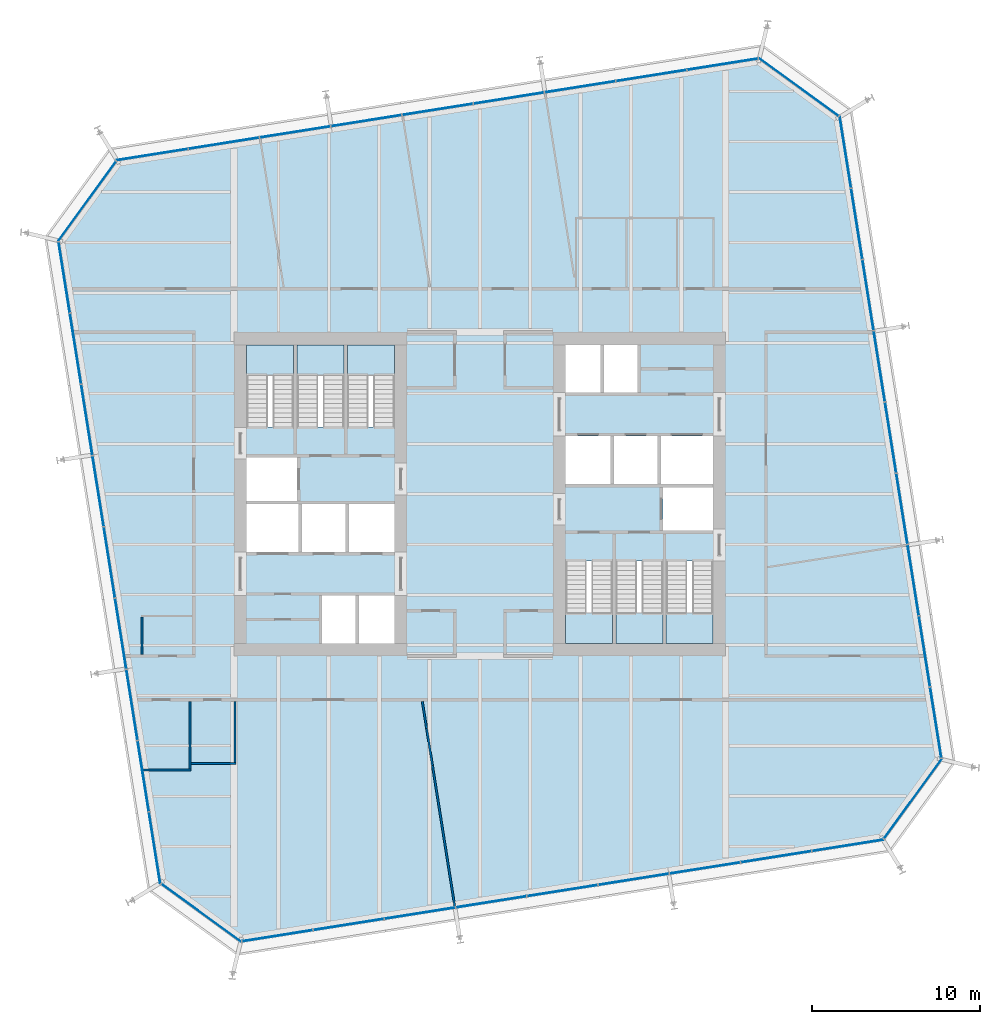
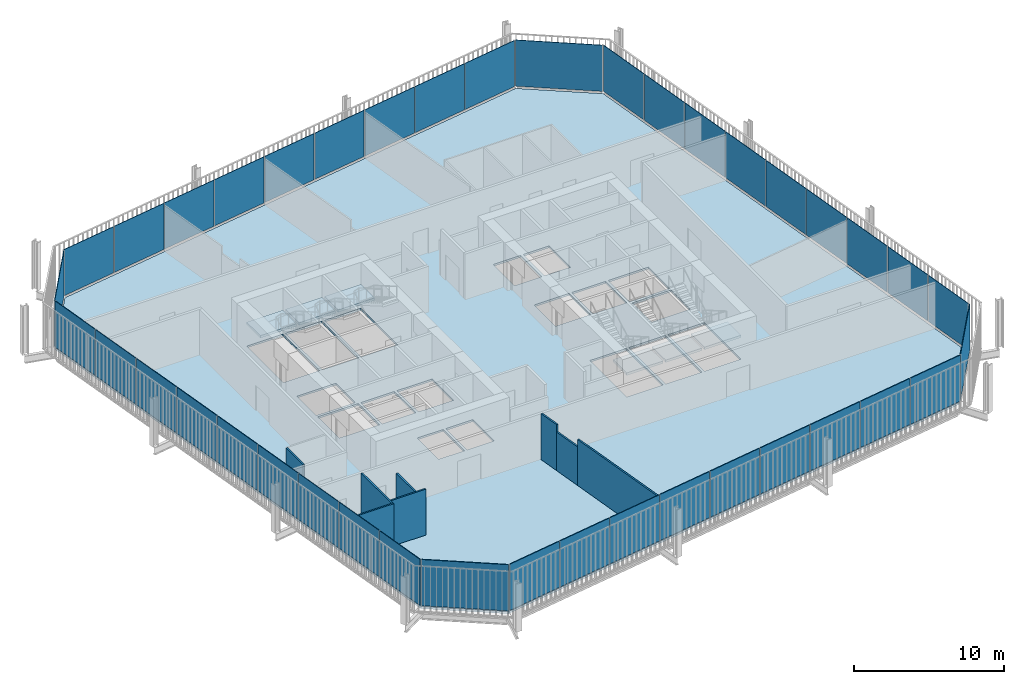
# One storey, part 16 of 21: 40 plates, 8 walls, 7 slabs, 14 elements without a shape of their own.
"""IFC4 building model written with IfcOpenShell, lengths in metres."""

import ifcopenshell
import ifcopenshell.guid

model = None  # the IFC model being written
_history = None  # IfcOwnerHistory: only IFC2X3 demands one
_inside = {}  # id of a spatial element -> (the spatial element, [elements in it])
_under = {}  # id of a project, library or spatial element -> (it, [spatial elements below it])
_declared = {}  # id of a project -> (the project, [libraries it declares])
_typed = {}  # id of a type object -> (the type object, [elements of that type])
_made_of = {}  # id of a material, layer set ... -> (it, [elements and type objects made of it])


def new_model(schema):
    """Start an empty IFC model of exactly this schema.

    Asked for "IFC4X3", IfcOpenShell would pick the latest addendum, in which some entities
    have other attributes; the version numbers below select the first issue.
    IFC2X3 requires an IfcOwnerHistory on every rooted entity: one is made here for all.
    """
    global model, _history
    if schema == "IFC4X3":
        model = ifcopenshell.file(schema_version=(4, 3, 0, 0))
    else:
        model = ifcopenshell.file(schema=schema)
    _inside.clear()
    _under.clear()
    _declared.clear()
    _typed.clear()
    _made_of.clear()
    _history = None
    if model.schema == "IFC2X3":
        org = make("IfcOrganization", Name="unknown")
        user = make(
            "IfcPersonAndOrganization",
            ThePerson=make("IfcPerson", FamilyName="unknown"),
            TheOrganization=org,
        )
        app = make(
            "IfcApplication",
            ApplicationDeveloper=org,
            Version="unknown",
            ApplicationFullName="unknown",
            ApplicationIdentifier="unknown",
        )
        _history = make(
            "IfcOwnerHistory",
            OwningUser=user,
            OwningApplication=app,
            ChangeAction="ADDED",
            CreationDate=0,
        )
    return model


def make(cls, **values):
    """One entity of the class cls with the attributes given. An attribute that is None is left unset."""
    return model.create_entity(
        cls, **{name: value for name, value in values.items() if value is not None}
    )


def rooted(cls, **values):
    """An entity with a GlobalId (a new one), such as an element, a storey or a relation."""
    return make(cls, GlobalId=ifcopenshell.guid.new(), OwnerHistory=_history, **values)


def si_unit(unit_type, name, prefix=None):
    """IfcSIUnit, for example si_unit("LENGTHUNIT", "METRE", prefix="MILLI")."""
    return make("IfcSIUnit", UnitType=unit_type, Prefix=prefix, Name=name)


def assignment(units):
    """IfcUnitAssignment: the units of a project."""
    return None if units is None else make("IfcUnitAssignment", Units=units)


def point(xyz):
    """IfcCartesianPoint."""
    return None if xyz is None else make("IfcCartesianPoint", Coordinates=xyz)


def direction(xyz):
    """IfcDirection."""
    return None if xyz is None else make("IfcDirection", DirectionRatios=xyz)


def frame(location, z_axis=None, x_axis=None):
    """IfcAxis2Placement3D, a coordinate frame: its origin and axes. An axis left out is left unset."""
    return make(
        "IfcAxis2Placement3D",
        Location=point(location),
        Axis=direction(z_axis),
        RefDirection=direction(x_axis),
    )


def frame_2d(location, x_axis=None):
    """IfcAxis2Placement2D, a coordinate frame in the plane: its origin and x axis."""
    return make(
        "IfcAxis2Placement2D", Location=point(location), RefDirection=direction(x_axis)
    )


def origin():
    """The frame at (0, 0, 0) with its axes left unset."""
    return frame((0.0, 0.0, 0.0))


def place(relative_to, where):
    """IfcLocalPlacement: puts the frame where relative to a parent placement (None: the world)."""
    return make(
        "IfcLocalPlacement", PlacementRelTo=relative_to, RelativePlacement=where
    )


def context(
    kind, dimensions, precision=None, world=None, true_north=None, identifier=None
):
    """IfcGeometricRepresentationContext, for example the 3D "Model" context."""
    return make(
        "IfcGeometricRepresentationContext",
        ContextIdentifier=identifier,
        ContextType=kind,
        CoordinateSpaceDimension=dimensions,
        Precision=precision,
        WorldCoordinateSystem=world,
        TrueNorth=true_north,
    )


def subcontext(parent, identifier, kind, view, scale=None):
    """IfcGeometricRepresentationSubContext, for example "Body" below "Model"."""
    return make(
        "IfcGeometricRepresentationSubContext",
        ContextIdentifier=identifier,
        ContextType=kind,
        ParentContext=parent,
        TargetScale=scale,
        TargetView=view,
    )


def project(units=None, contexts=None):
    """IfcProject with its units and contexts."""
    return rooted(
        "IfcProject",
        Name="project",
        RepresentationContexts=contexts,
        UnitsInContext=assignment(units),
    )


def spatial(cls, under=None, at=None, **own):
    """A site, building, storey or space (cls), placed at a placement, below another one or the project."""
    s = rooted(cls, ObjectPlacement=at, **own)
    if under is not None:
        _under.setdefault(under.id(), (under, []))[1].append(s)
    return s


def polyline(points):
    """IfcPolyline through the points."""
    return make("IfcPolyline", Points=[point(p) for p in points])


def profile(cls, at=None, kind="AREA", **sizes):
    """A parametric profile (cls). Its sizes go by their IFC names, for example OverallWidth=200.0."""
    return make(cls, ProfileType=kind, Position=at, **sizes)


def rectangle(**sizes):
    """IfcRectangleProfileDef."""
    return profile("IfcRectangleProfileDef", **sizes)


def outline(outer, holes=None, kind="AREA"):
    """IfcArbitraryClosedProfileDef: a profile drawn as a closed curve; with holes, ...WithVoids."""
    if holes is None:
        return make("IfcArbitraryClosedProfileDef", ProfileType=kind, OuterCurve=outer)
    return make(
        "IfcArbitraryProfileDefWithVoids",
        ProfileType=kind,
        OuterCurve=outer,
        InnerCurves=holes,
    )


def extrude(swept, where, along, depth):
    """IfcExtrudedAreaSolid: the profile swept, set in the frame where, extruded along a direction by depth."""
    return make(
        "IfcExtrudedAreaSolid",
        SweptArea=swept,
        Position=where,
        ExtrudedDirection=direction(along),
        Depth=depth,
    )


def shape(context_of_items, identifier, shape_type, items):
    """IfcShapeRepresentation: the items that make up one representation, for example the "Body"."""
    return make(
        "IfcShapeRepresentation",
        ContextOfItems=context_of_items,
        RepresentationIdentifier=identifier,
        RepresentationType=shape_type,
        Items=items,
    )


def material(Name=None, Category=None):
    """IfcMaterial."""
    return make("IfcMaterial", Name=Name, Category=Category)


def layer(
    of_material, thickness, ventilated=None, Name=None, Category=None, Priority=None
):
    """IfcMaterialLayer: one layer of a wall or slab, of a material (None: an air gap)."""
    return make(
        "IfcMaterialLayer",
        Material=of_material,
        LayerThickness=thickness,
        IsVentilated=ventilated,
        Name=Name,
        Category=Category,
        Priority=Priority,
    )


def layer_set(layers, Name=None):
    """IfcMaterialLayerSet."""
    return make("IfcMaterialLayerSet", MaterialLayers=layers, LayerSetName=Name)


def made_of(thing, what):
    """Note that an element or type object is made of a material, layer set ...; save() writes the relation."""
    if what is not None:
        _made_of.setdefault(what.id(), (what, []))[1].append(thing)
    return thing


def type_object(cls, material=None, **own):
    """A type object (cls), such as IfcWallType, which elements share."""
    return made_of(rooted(cls, **own), material)


def element(
    cls,
    number,
    at=None,
    inside=None,
    cuts=None,
    type_object=None,
    material=None,
    context=None,
    identifier="Body",
    shape_type=None,
    held_by="IfcProductDefinitionShape",
    body=None,
    shapes=None,
    **own,
):
    """One element of the class cls, such as IfcWall. Its Tag is "e" and its number.

    at: its placement. inside: the storey or other place that contains it. cuts: it is an
    opening in that element (IfcRelVoidsElement). A single representation is given by context,
    identifier, shape_type and body (its items); several are given by shapes. held_by: the class
    of the entity that holds the representations. save() writes the other relations.
    """
    e = rooted(cls, Tag="e%d" % number, ObjectPlacement=at, **own)
    if body is not None:
        shapes = [shape(context, identifier, shape_type, body)]
    if shapes is not None:
        e.Representation = make(held_by, Representations=shapes)
    if inside is not None:
        _inside.setdefault(inside.id(), (inside, []))[1].append(e)
    if cuts is not None:
        rooted(
            "IfcRelVoidsElement", RelatingBuildingElement=cuts, RelatedOpeningElement=e
        )
    if type_object is not None:
        _typed.setdefault(type_object.id(), (type_object, []))[1].append(e)
    return made_of(e, material)


def aggregate(whole, parts):
    """IfcRelAggregates: a whole, such as a stair, and the parts it consists of."""
    return rooted("IfcRelAggregates", RelatingObject=whole, RelatedObjects=parts)


def save(model, path):
    """Write the relations noted so far, then the file.

    IfcRelAggregates (storeys below a building ...), IfcRelContainedInSpatialStructure (elements
    in a storey), IfcRelDefinesByType, IfcRelAssociatesMaterial and IfcRelDeclares: one each for
    every whole, place, type object, material and project.
    """
    for whole, parts in _under.values():
        aggregate(whole, parts)
    for where, things in _inside.values():
        rooted(
            "IfcRelContainedInSpatialStructure",
            RelatedElements=things,
            RelatingStructure=where,
        )
    for kind, things in _typed.values():
        rooted("IfcRelDefinesByType", RelatedObjects=things, RelatingType=kind)
    for what, things in _made_of.values():
        rooted("IfcRelAssociatesMaterial", RelatedObjects=things, RelatingMaterial=what)
    for by, libraries in _declared.values():
        rooted("IfcRelDeclares", RelatingContext=by, RelatedDefinitions=libraries)
    model.write(path)


model = new_model("IFC4")

# Units and contexts
model_context = context("Model", 3, precision=1e-05, world=origin(), true_north=direction((0.0, 1.0)))
body_context = subcontext(model_context, "Body", "Model", "MODEL_VIEW")
ifc_project = project(units=[si_unit("LENGTHUNIT", "METRE"), si_unit("AREAUNIT", "SQUARE_METRE"), si_unit("VOLUMEUNIT", "CUBIC_METRE"), si_unit("PLANEANGLEUNIT", "RADIAN"), si_unit("MASSUNIT", "GRAM", prefix="KILO")], contexts=[model_context])

# Site, building, storey
site_placement = place(None, origin())
site = spatial("IfcSite", under=ifc_project, at=site_placement, CompositionType="ELEMENT")
building_placement = place(site_placement, origin())
building = spatial("IfcBuilding", under=site, at=building_placement, Name="Millrace Tower", CompositionType="ELEMENT")
storey_placement = place(building_placement, frame((0.0, 0.0, 156.800048828125)))
storey = spatial("IfcBuildingStorey", under=building, at=storey_placement, Name="L35", CompositionType="ELEMENT", Elevation=156.800048828125)

# Curtain wall, plate
ifc_material_1 = material(Name="Aluminium and glass", Category="aluminium")
ifc_layer_1 = layer(ifc_material_1, 0.14990234375)
ifc_layer_set_1 = layer_set([ifc_layer_1], Name="Aluminium and glass")
curtain_wall_type = type_object("IfcCurtainWallType", Name="CW-1 office vision curtain wall", PredefinedType="NOTDEFINED", material=ifc_layer_set_1)
placement_1 = place(storey_placement, origin())
curtain_wall_1 = element("IfcCurtainWall", 1, at=placement_1, inside=storey, type_object=curtain_wall_type, Name="Curtain wall C-F01 L35", PredefinedType="NOTDEFINED")
ifc_material_2 = material(Name="Glass", Category="glass")
ifc_layer_2 = layer(ifc_material_2, 0.0439453125)
ifc_layer_set_2 = layer_set([ifc_layer_2], Name="Glass")
plate_type = type_object("IfcPlateType", Name="CW-1 office vision curtain wall triple-glazed vision panel", PredefinedType="CURTAIN_PANEL", material=ifc_layer_set_2)
placement_2 = place(storey_placement, frame((0.0, 0.0, 0.139892578125)))
plate_1 = element("IfcPlate", 2, at=placement_2, type_object=plate_type, Name="CW1 panel C-F01.1", PredefinedType="CURTAIN_PANEL", context=body_context, shape_type="SweptSolid", body=[
    extrude(outline(polyline([(-18.988037109375, -23.254638671875), (-14.260009765625, -26.689697265625), (-14.2490234375, -26.6435546875), (-18.962158203125, -23.218994140625), (-18.988037109375, -23.254638671875)])), origin(), (0.0, 0.0, 1.0), 3.760009765625),
])
aggregate(curtain_wall_1, [plate_1])

# Curtain wall, plates
curtain_wall_2 = element("IfcCurtainWall", 3, at=placement_1, inside=storey, type_object=curtain_wall_type, Name="Curtain wall C-F02 L35", PredefinedType="NOTDEFINED")
plate_2 = element("IfcPlate", 4, at=placement_2, type_object=plate_type, Name="CW1 panel C-F02.1", PredefinedType="CURTAIN_PANEL", context=body_context, shape_type="SweptSolid", body=[
    extrude(outline(polyline([(-14.15625, -26.67333984375), (-9.973388671875, -26.0107421875), (-9.980224609375, -25.96728515625), (-14.1630859375, -26.6298828125), (-14.15625, -26.67333984375)])), origin(), (0.0, 0.0, 1.0), 3.760009765625),
])
plate_3 = element("IfcPlate", 5, at=placement_2, type_object=plate_type, Name="CW1 panel C-F02.2", PredefinedType="CURTAIN_PANEL", context=body_context, shape_type="SweptSolid", body=[
    extrude(outline(polyline([(-9.9091796875, -26.000732421875), (-5.726318359375, -25.338134765625), (-5.733154296875, -25.294677734375), (-9.916015625, -25.957275390625), (-9.9091796875, -26.000732421875)])), origin(), (0.0, 0.0, 1.0), 3.760009765625),
])
plate_4 = element("IfcPlate", 6, at=placement_2, type_object=plate_type, Name="CW1 panel C-F02.3", PredefinedType="CURTAIN_PANEL", context=body_context, shape_type="SweptSolid", body=[
    extrude(outline(polyline([(-5.662109375, -25.327880859375), (-1.479248046875, -24.66552734375), (-1.486083984375, -24.6220703125), (-5.6689453125, -25.284423828125), (-5.662109375, -25.327880859375)])), origin(), (0.0, 0.0, 1.0), 3.760009765625),
])
plate_5 = element("IfcPlate", 7, at=placement_2, type_object=plate_type, Name="CW1 panel C-F02.4", PredefinedType="CURTAIN_PANEL", context=body_context, shape_type="SweptSolid", body=[
    extrude(outline(polyline([(-1.4150390625, -24.6552734375), (2.767822265625, -23.992919921875), (2.760986328125, -23.949462890625), (-1.421875, -24.61181640625), (-1.4150390625, -24.6552734375)])), origin(), (0.0, 0.0, 1.0), 3.760009765625),
])
plate_6 = element("IfcPlate", 8, at=placement_2, type_object=plate_type, Name="CW1 panel C-F02.5", PredefinedType="CURTAIN_PANEL", context=body_context, shape_type="SweptSolid", body=[
    extrude(outline(polyline([(2.83203125, -23.982666015625), (7.014892578125, -23.320068359375), (7.008056640625, -23.276611328125), (2.8251953125, -23.939208984375), (2.83203125, -23.982666015625)])), origin(), (0.0, 0.0, 1.0), 3.760009765625),
])
plate_7 = element("IfcPlate", 9, at=placement_2, type_object=plate_type, Name="CW1 panel C-F02.6", PredefinedType="CURTAIN_PANEL", context=body_context, shape_type="SweptSolid", body=[
    extrude(outline(polyline([(7.0791015625, -23.31005859375), (11.261962890625, -22.6474609375), (11.255126953125, -22.60400390625), (7.072265625, -23.2666015625), (7.0791015625, -23.31005859375)])), origin(), (0.0, 0.0, 1.0), 3.760009765625),
])
plate_8 = element("IfcPlate", 10, at=placement_2, type_object=plate_type, Name="CW1 panel C-F02.7", PredefinedType="CURTAIN_PANEL", context=body_context, shape_type="SweptSolid", body=[
    extrude(outline(polyline([(11.326171875, -22.63720703125), (15.509033203125, -21.974853515625), (15.502197265625, -21.931396484375), (11.3193359375, -22.59375), (11.326171875, -22.63720703125)])), origin(), (0.0, 0.0, 1.0), 3.760009765625),
])
plate_9 = element("IfcPlate", 11, at=placement_2, type_object=plate_type, Name="CW1 panel C-F02.8", PredefinedType="CURTAIN_PANEL", context=body_context, shape_type="SweptSolid", body=[
    extrude(outline(polyline([(15.5732421875, -21.964599609375), (19.756103515625, -21.30224609375), (19.749267578125, -21.2587890625), (15.56640625, -21.921142578125), (15.5732421875, -21.964599609375)])), origin(), (0.0, 0.0, 1.0), 3.760009765625),
])
plate_10 = element("IfcPlate", 12, at=placement_2, type_object=plate_type, Name="CW1 panel C-F02.9", PredefinedType="CURTAIN_PANEL", context=body_context, shape_type="SweptSolid", body=[
    extrude(outline(polyline([(19.8203125, -21.2919921875), (24.042724609375, -20.623291015625), (24.01806640625, -20.58251953125), (19.8134765625, -21.24853515625), (19.8203125, -21.2919921875)])), origin(), (0.0, 0.0, 1.0), 3.760009765625),
])
aggregate(curtain_wall_2, [plate_2, plate_3, plate_4, plate_5, plate_6, plate_7, plate_8, plate_9, plate_10])

# Curtain wall, plate
curtain_wall_3 = element("IfcCurtainWall", 13, at=placement_1, inside=storey, type_object=curtain_wall_type, Name="Curtain wall C-F03 L35", PredefinedType="NOTDEFINED")
plate_11 = element("IfcPlate", 14, at=placement_2, type_object=plate_type, Name="CW1 panel C-F03.1", PredefinedType="CURTAIN_PANEL", context=body_context, shape_type="SweptSolid", body=[
    extrude(outline(polyline([(24.104736328125, -20.5380859375), (27.539794921875, -15.81005859375), (27.493408203125, -15.799072265625), (24.069091796875, -20.51220703125), (24.104736328125, -20.5380859375)])), origin(), (0.0, 0.0, 1.0), 3.760009765625),
])
aggregate(curtain_wall_3, [plate_11])

# Curtain wall, plates
curtain_wall_4 = element("IfcCurtainWall", 15, at=placement_1, inside=storey, type_object=curtain_wall_type, Name="Curtain wall C-F04 L35", PredefinedType="NOTDEFINED")
plate_12 = element("IfcPlate", 16, at=placement_2, type_object=plate_type, Name="CW1 panel C-F04.1", PredefinedType="CURTAIN_PANEL", context=body_context, shape_type="SweptSolid", body=[
    extrude(outline(polyline([(27.5234375, -15.706298828125), (26.86083984375, -11.5234375), (26.8173828125, -11.5302734375), (27.47998046875, -15.713134765625), (27.5234375, -15.706298828125)])), origin(), (0.0, 0.0, 1.0), 3.760009765625),
])
plate_13 = element("IfcPlate", 17, at=placement_2, type_object=plate_type, Name="CW1 panel C-F04.2", PredefinedType="CURTAIN_PANEL", context=body_context, shape_type="SweptSolid", body=[
    extrude(outline(polyline([(26.8505859375, -11.459228515625), (26.188232421875, -7.2763671875), (26.144775390625, -7.283203125), (26.80712890625, -11.466064453125), (26.8505859375, -11.459228515625)])), origin(), (0.0, 0.0, 1.0), 3.760009765625),
])
plate_14 = element("IfcPlate", 18, at=placement_2, type_object=plate_type, Name="CW1 panel C-F04.3", PredefinedType="CURTAIN_PANEL", context=body_context, shape_type="SweptSolid", body=[
    extrude(outline(polyline([(26.177978515625, -7.212158203125), (25.515380859375, -3.029296875), (25.471923828125, -3.0361328125), (26.134521484375, -7.218994140625), (26.177978515625, -7.212158203125)])), origin(), (0.0, 0.0, 1.0), 3.760009765625),
])
plate_15 = element("IfcPlate", 19, at=placement_2, type_object=plate_type, Name="CW1 panel C-F04.4", PredefinedType="CURTAIN_PANEL", context=body_context, shape_type="SweptSolid", body=[
    extrude(outline(polyline([(25.50537109375, -2.965087890625), (24.8427734375, 1.2177734375), (24.79931640625, 1.2109375), (25.4619140625, -2.971923828125), (25.50537109375, -2.965087890625)])), origin(), (0.0, 0.0, 1.0), 3.760009765625),
])
plate_16 = element("IfcPlate", 20, at=placement_2, type_object=plate_type, Name="CW1 panel C-F04.5", PredefinedType="CURTAIN_PANEL", context=body_context, shape_type="SweptSolid", body=[
    extrude(outline(polyline([(24.832763671875, 1.281982421875), (24.170166015625, 5.46484375), (24.126708984375, 5.4580078125), (24.789306640625, 1.275146484375), (24.832763671875, 1.281982421875)])), origin(), (0.0, 0.0, 1.0), 3.760009765625),
])
plate_17 = element("IfcPlate", 21, at=placement_2, type_object=plate_type, Name="CW1 panel C-F04.6", PredefinedType="CURTAIN_PANEL", context=body_context, shape_type="SweptSolid", body=[
    extrude(outline(polyline([(24.159912109375, 5.529052734375), (23.49755859375, 9.7119140625), (23.4541015625, 9.705078125), (24.116455078125, 5.522216796875), (24.159912109375, 5.529052734375)])), origin(), (0.0, 0.0, 1.0), 3.760009765625),
])
plate_18 = element("IfcPlate", 22, at=placement_2, type_object=plate_type, Name="CW1 panel C-F04.7", PredefinedType="CURTAIN_PANEL", context=body_context, shape_type="SweptSolid", body=[
    extrude(outline(polyline([(23.4873046875, 9.776123046875), (22.82470703125, 13.958984375), (22.78125, 13.9521484375), (23.44384765625, 9.769287109375), (23.4873046875, 9.776123046875)])), origin(), (0.0, 0.0, 1.0), 3.760009765625),
])
plate_19 = element("IfcPlate", 23, at=placement_2, type_object=plate_type, Name="CW1 panel C-F04.8", PredefinedType="CURTAIN_PANEL", context=body_context, shape_type="SweptSolid", body=[
    extrude(outline(polyline([(22.814697265625, 14.023193359375), (22.152099609375, 18.2060546875), (22.108642578125, 18.19921875), (22.771240234375, 14.016357421875), (22.814697265625, 14.023193359375)])), origin(), (0.0, 0.0, 1.0), 3.760009765625),
])
plate_20 = element("IfcPlate", 24, at=placement_2, type_object=plate_type, Name="CW1 panel C-F04.9", PredefinedType="CURTAIN_PANEL", context=body_context, shape_type="SweptSolid", body=[
    extrude(outline(polyline([(22.14208984375, 18.270263671875), (21.47314453125, 22.492919921875), (21.4326171875, 22.468017578125), (22.0986328125, 18.263427734375), (22.14208984375, 18.270263671875)])), origin(), (0.0, 0.0, 1.0), 3.760009765625),
])
aggregate(curtain_wall_4, [plate_12, plate_13, plate_14, plate_15, plate_16, plate_17, plate_18, plate_19, plate_20])

# Curtain wall, plate
curtain_wall_5 = element("IfcCurtainWall", 25, at=placement_1, inside=storey, type_object=curtain_wall_type, Name="Curtain wall C-F05 L35", PredefinedType="NOTDEFINED")
plate_21 = element("IfcPlate", 26, at=placement_2, type_object=plate_type, Name="CW1 panel C-F05.1", PredefinedType="CURTAIN_PANEL", context=body_context, shape_type="SweptSolid", body=[
    extrude(outline(polyline([(21.38818359375, 22.5546875), (16.66015625, 25.98974609375), (16.64892578125, 25.943359375), (21.3623046875, 22.51904296875), (21.38818359375, 22.5546875)])), origin(), (0.0, 0.0, 1.0), 3.760009765625),
])
aggregate(curtain_wall_5, [plate_21])

# Curtain wall, plates
curtain_wall_6 = element("IfcCurtainWall", 27, at=placement_1, inside=storey, type_object=curtain_wall_type, Name="Curtain wall C-F06 L35", PredefinedType="NOTDEFINED")
plate_22 = element("IfcPlate", 28, at=placement_2, type_object=plate_type, Name="CW1 panel C-F06.1", PredefinedType="CURTAIN_PANEL", context=body_context, shape_type="SweptSolid", body=[
    extrude(outline(polyline([(16.55615234375, 25.973388671875), (12.373291015625, 25.310791015625), (12.380126953125, 25.267333984375), (16.56298828125, 25.929931640625), (16.55615234375, 25.973388671875)])), origin(), (0.0, 0.0, 1.0), 3.760009765625),
])
plate_23 = element("IfcPlate", 29, at=placement_2, type_object=plate_type, Name="CW1 panel C-F06.2", PredefinedType="CURTAIN_PANEL", context=body_context, shape_type="SweptSolid", body=[
    extrude(outline(polyline([(12.30908203125, 25.300537109375), (8.126220703125, 24.63818359375), (8.133056640625, 24.5947265625), (12.31591796875, 25.257080078125), (12.30908203125, 25.300537109375)])), origin(), (0.0, 0.0, 1.0), 3.760009765625),
])
plate_24 = element("IfcPlate", 30, at=placement_2, type_object=plate_type, Name="CW1 panel C-F06.3", PredefinedType="CURTAIN_PANEL", context=body_context, shape_type="SweptSolid", body=[
    extrude(outline(polyline([(8.06201171875, 24.6279296875), (3.879150390625, 23.965576171875), (3.885986328125, 23.922119140625), (8.06884765625, 24.58447265625), (8.06201171875, 24.6279296875)])), origin(), (0.0, 0.0, 1.0), 3.760009765625),
])
plate_25 = element("IfcPlate", 31, at=placement_2, type_object=plate_type, Name="CW1 panel C-F06.4", PredefinedType="CURTAIN_PANEL", context=body_context, shape_type="SweptSolid", body=[
    extrude(outline(polyline([(3.81494140625, 23.955322265625), (-0.367919921875, 23.292724609375), (-0.361083984375, 23.249267578125), (3.82177734375, 23.911865234375), (3.81494140625, 23.955322265625)])), origin(), (0.0, 0.0, 1.0), 3.760009765625),
])
plate_26 = element("IfcPlate", 32, at=placement_2, type_object=plate_type, Name="CW1 panel C-F06.5", PredefinedType="CURTAIN_PANEL", context=body_context, shape_type="SweptSolid", body=[
    extrude(outline(polyline([(-0.43212890625, 23.28271484375), (-4.614990234375, 22.6201171875), (-4.60791015625, 22.57666015625), (-0.42529296875, 23.2392578125), (-0.43212890625, 23.28271484375)])), origin(), (0.0, 0.0, 1.0), 3.760009765625),
])
plate_27 = element("IfcPlate", 33, at=placement_2, type_object=plate_type, Name="CW1 panel C-F06.6", PredefinedType="CURTAIN_PANEL", context=body_context, shape_type="SweptSolid", body=[
    extrude(outline(polyline([(-4.67919921875, 22.60986328125), (-8.862060546875, 21.947509765625), (-8.85498046875, 21.904052734375), (-4.672119140625, 22.56640625), (-4.67919921875, 22.60986328125)])), origin(), (0.0, 0.0, 1.0), 3.760009765625),
])
plate_28 = element("IfcPlate", 34, at=placement_2, type_object=plate_type, Name="CW1 panel C-F06.7", PredefinedType="CURTAIN_PANEL", context=body_context, shape_type="SweptSolid", body=[
    extrude(outline(polyline([(-8.92626953125, 21.937255859375), (-13.109130859375, 21.27490234375), (-13.10205078125, 21.2314453125), (-8.919189453125, 21.893798828125), (-8.92626953125, 21.937255859375)])), origin(), (0.0, 0.0, 1.0), 3.760009765625),
])
plate_29 = element("IfcPlate", 35, at=placement_2, type_object=plate_type, Name="CW1 panel C-F06.8", PredefinedType="CURTAIN_PANEL", context=body_context, shape_type="SweptSolid", body=[
    extrude(outline(polyline([(-13.17333984375, 21.2646484375), (-17.356201171875, 20.60205078125), (-17.34912109375, 20.55859375), (-13.166259765625, 21.22119140625), (-13.17333984375, 21.2646484375)])), origin(), (0.0, 0.0, 1.0), 3.760009765625),
])
plate_30 = element("IfcPlate", 36, at=placement_2, type_object=plate_type, Name="CW1 panel C-F06.9", PredefinedType="CURTAIN_PANEL", context=body_context, shape_type="SweptSolid", body=[
    extrude(outline(polyline([(-17.42041015625, 20.592041015625), (-21.642822265625, 19.923095703125), (-21.617919921875, 19.882568359375), (-17.413330078125, 20.548583984375), (-17.42041015625, 20.592041015625)])), origin(), (0.0, 0.0, 1.0), 3.760009765625),
])
aggregate(curtain_wall_6, [plate_22, plate_23, plate_24, plate_25, plate_26, plate_27, plate_28, plate_29, plate_30])

# Curtain wall, plate
curtain_wall_7 = element("IfcCurtainWall", 37, at=placement_1, inside=storey, type_object=curtain_wall_type, Name="Curtain wall C-F07 L35", PredefinedType="NOTDEFINED")
plate_31 = element("IfcPlate", 38, at=placement_2, type_object=plate_type, Name="CW1 panel C-F07.1", PredefinedType="CURTAIN_PANEL", context=body_context, shape_type="SweptSolid", body=[
    extrude(outline(polyline([(-21.70458984375, 19.838134765625), (-25.139892578125, 15.110107421875), (-25.093505859375, 15.098876953125), (-21.6689453125, 19.812255859375), (-21.70458984375, 19.838134765625)])), origin(), (0.0, 0.0, 1.0), 3.760009765625),
])
aggregate(curtain_wall_7, [plate_31])

# Curtain wall, plates
curtain_wall_8 = element("IfcCurtainWall", 39, at=placement_1, inside=storey, type_object=curtain_wall_type, Name="Curtain wall C-F08 L35", PredefinedType="NOTDEFINED")
plate_32 = element("IfcPlate", 40, at=placement_2, type_object=plate_type, Name="CW1 panel C-F08.1", PredefinedType="CURTAIN_PANEL", context=body_context, shape_type="SweptSolid", body=[
    extrude(outline(polyline([(-25.123291015625, 15.006103515625), (-24.4609375, 10.8232421875), (-24.41748046875, 10.830322265625), (-25.079833984375, 15.01318359375), (-25.123291015625, 15.006103515625)])), origin(), (0.0, 0.0, 1.0), 3.760009765625),
])
plate_33 = element("IfcPlate", 41, at=placement_2, type_object=plate_type, Name="CW1 panel C-F08.2", PredefinedType="CURTAIN_PANEL", context=body_context, shape_type="SweptSolid", body=[
    extrude(outline(polyline([(-24.45068359375, 10.759033203125), (-23.7880859375, 6.576171875), (-23.74462890625, 6.583251953125), (-24.4072265625, 10.76611328125), (-24.45068359375, 10.759033203125)])), origin(), (0.0, 0.0, 1.0), 3.760009765625),
])
plate_34 = element("IfcPlate", 42, at=placement_2, type_object=plate_type, Name="CW1 panel C-F08.3", PredefinedType="CURTAIN_PANEL", context=body_context, shape_type="SweptSolid", body=[
    extrude(outline(polyline([(-23.778076171875, 6.511962890625), (-23.115478515625, 2.3291015625), (-23.072021484375, 2.336181640625), (-23.734619140625, 6.51904296875), (-23.778076171875, 6.511962890625)])), origin(), (0.0, 0.0, 1.0), 3.760009765625),
])
plate_35 = element("IfcPlate", 43, at=placement_2, type_object=plate_type, Name="CW1 panel C-F08.4", PredefinedType="CURTAIN_PANEL", context=body_context, shape_type="SweptSolid", body=[
    extrude(outline(polyline([(-23.105224609375, 2.264892578125), (-22.44287109375, -1.91796875), (-22.3994140625, -1.910888671875), (-23.061767578125, 2.27197265625), (-23.105224609375, 2.264892578125)])), origin(), (0.0, 0.0, 1.0), 3.760009765625),
])
plate_36 = element("IfcPlate", 44, at=placement_2, type_object=plate_type, Name="CW1 panel C-F08.5", PredefinedType="CURTAIN_PANEL", context=body_context, shape_type="SweptSolid", body=[
    extrude(outline(polyline([(-22.4326171875, -1.98193359375), (-21.770263671875, -6.164794921875), (-21.726806640625, -6.157958984375), (-22.38916015625, -1.97509765625), (-22.4326171875, -1.98193359375)])), origin(), (0.0, 0.0, 1.0), 3.760009765625),
])
plate_37 = element("IfcPlate", 45, at=placement_2, type_object=plate_type, Name="CW1 panel C-F08.6", PredefinedType="CURTAIN_PANEL", context=body_context, shape_type="SweptSolid", body=[
    extrude(outline(polyline([(-21.760009765625, -6.22900390625), (-21.097412109375, -10.411865234375), (-21.053955078125, -10.405029296875), (-21.716552734375, -6.22216796875), (-21.760009765625, -6.22900390625)])), origin(), (0.0, 0.0, 1.0), 3.760009765625),
])
plate_38 = element("IfcPlate", 46, at=placement_2, type_object=plate_type, Name="CW1 panel C-F08.7", PredefinedType="CURTAIN_PANEL", context=body_context, shape_type="SweptSolid", body=[
    extrude(outline(polyline([(-21.08740234375, -10.47607421875), (-20.4248046875, -14.658935546875), (-20.38134765625, -14.652099609375), (-21.0439453125, -10.46923828125), (-21.08740234375, -10.47607421875)])), origin(), (0.0, 0.0, 1.0), 3.760009765625),
])
plate_39 = element("IfcPlate", 47, at=placement_2, type_object=plate_type, Name="CW1 panel C-F08.8", PredefinedType="CURTAIN_PANEL", context=body_context, shape_type="SweptSolid", body=[
    extrude(outline(polyline([(-20.41455078125, -14.72314453125), (-19.752197265625, -18.906005859375), (-19.708740234375, -18.899169921875), (-20.37109375, -14.71630859375), (-20.41455078125, -14.72314453125)])), origin(), (0.0, 0.0, 1.0), 3.760009765625),
])
plate_40 = element("IfcPlate", 48, at=placement_2, type_object=plate_type, Name="CW1 panel C-F08.9", PredefinedType="CURTAIN_PANEL", context=body_context, shape_type="SweptSolid", body=[
    extrude(outline(polyline([(-19.741943359375, -18.97021484375), (-19.0732421875, -23.19287109375), (-19.032470703125, -23.16796875), (-19.698486328125, -18.96337890625), (-19.741943359375, -18.97021484375)])), origin(), (0.0, 0.0, 1.0), 3.760009765625),
])
aggregate(curtain_wall_8, [plate_32, plate_33, plate_34, plate_35, plate_36, plate_37, plate_38, plate_39, plate_40])

# Slab
ifc_material_3 = material(Name="Concrete C35 on steel deck", Category="concrete")
ifc_layer_3 = layer(ifc_material_3, 0.159912109375)
ifc_layer_set_3 = layer_set([ifc_layer_3], Name="Concrete C35 on steel deck")
slab_type_1 = type_object("IfcSlabType", Name="Composite floor slab 160 mm", PredefinedType="FLOOR", material=ifc_layer_set_3)
slab_1_placement = place(storey_placement, frame((0.0, 0.0, -0.16015625)))
element("IfcSlab", 49, at=slab_1_placement, inside=storey, type_object=slab_type_1, Name="SL-C-L35-S1", PredefinedType="FLOOR", context=body_context, shape_type="SweptSolid", body=[
    extrude(outline(polyline([(-18.983642578125, -23.137939453125), (-14.235595703125, -26.587646484375), (23.988037109375, -20.53369140625), (27.437744140625, -15.78564453125), (21.3837890625, 22.43798828125), (16.635498046875, 25.8876953125), (-21.587890625, 19.833740234375), (-25.03759765625, 15.08544921875), (-18.983642578125, -23.137939453125)]), holes=[polyline([(-9.39990234375, -8.89990234375), (-7.39990234375, -8.89990234375), (-7.39990234375, -6.050048828125), (-9.39990234375, -6.050048828125), (-9.39990234375, -8.89990234375)]), polyline([(-7.199951171875, -8.89990234375), (-5.10009765625, -8.89990234375), (-5.10009765625, -6.050048828125), (-7.199951171875, -6.050048828125), (-7.199951171875, -8.89990234375)]), polyline([(-13.89990234375, -3.449951171875), (-10.800048828125, -3.449951171875), (-10.800048828125, -0.60009765625), (-13.89990234375, -0.60009765625), (-13.89990234375, -3.449951171875)]), polyline([(-10.60009765625, -3.449951171875), (-8.0, -3.449951171875), (-8.0, -0.60009765625), (-10.60009765625, -0.60009765625), (-10.60009765625, -3.449951171875)]), polyline([(-7.800048828125, -3.449951171875), (-5.10009765625, -3.449951171875), (-5.10009765625, -0.60009765625), (-7.800048828125, -0.60009765625), (-7.800048828125, -3.449951171875)]), polyline([(-13.89990234375, -0.39990234375), (-10.89990234375, -0.39990234375), (-10.89990234375, 2.179931640625), (-13.89990234375, 2.179931640625), (-13.89990234375, -0.39990234375)]), polyline([(-13.89990234375, 4.0), (-11.10009765625, 4.0), (-11.10009765625, 8.89990234375), (-13.89990234375, 8.89990234375), (-13.89990234375, 4.0)]), polyline([(-10.89990234375, 4.0), (-8.10009765625, 4.0), (-8.10009765625, 8.89990234375), (-10.89990234375, 8.89990234375), (-10.89990234375, 4.0)]), polyline([(-7.89990234375, 4.0), (-5.10009765625, 4.0), (-5.10009765625, 8.89990234375), (-7.89990234375, 8.89990234375), (-7.89990234375, 4.0)]), polyline([(7.39990234375, 6.050048828125), (9.39990234375, 6.050048828125), (9.39990234375, 8.89990234375), (7.39990234375, 8.89990234375), (7.39990234375, 6.050048828125)]), polyline([(5.10009765625, 6.050048828125), (7.199951171875, 6.050048828125), (7.199951171875, 8.89990234375), (5.10009765625, 8.89990234375), (5.10009765625, 6.050048828125)]), polyline([(10.800048828125, 0.60009765625), (13.89990234375, 0.60009765625), (13.89990234375, 3.449951171875), (10.800048828125, 3.449951171875), (10.800048828125, 0.60009765625)]), polyline([(8.0, 0.60009765625), (10.60009765625, 0.60009765625), (10.60009765625, 3.449951171875), (8.0, 3.449951171875), (8.0, 0.60009765625)]), polyline([(5.10009765625, 0.60009765625), (7.800048828125, 0.60009765625), (7.800048828125, 3.449951171875), (5.10009765625, 3.449951171875), (5.10009765625, 0.60009765625)]), polyline([(10.89990234375, -2.179931640625), (13.89990234375, -2.179931640625), (13.89990234375, 0.39990234375), (10.89990234375, 0.39990234375), (10.89990234375, -2.179931640625)]), polyline([(11.10009765625, -8.89990234375), (13.89990234375, -8.89990234375), (13.89990234375, -4.0), (11.10009765625, -4.0), (11.10009765625, -8.89990234375)]), polyline([(8.10009765625, -8.89990234375), (10.89990234375, -8.89990234375), (10.89990234375, -4.0), (8.10009765625, -4.0), (8.10009765625, -8.89990234375)]), polyline([(5.10009765625, -8.89990234375), (7.89990234375, -8.89990234375), (7.89990234375, -4.0), (5.10009765625, -4.0), (5.10009765625, -8.89990234375)])]), origin(), (0.0, 0.0, 1.0), 0.16015625),
])

# Stair, slab
ifc_material_4 = material(Name="Concrete C35", Category="concrete")
stair_type = type_object("IfcStairType", Name="Exit stair", PredefinedType="HALF_TURN_STAIR", material=ifc_material_4)
stair_1 = element("IfcStair", 50, at=placement_1, inside=storey, type_object=stair_type, Name="Stair 1 W L35", PredefinedType="HALF_TURN_STAIR")
ifc_material_5 = material(Name="Concrete C40", Category="concrete")
ifc_layer_4 = layer(ifc_material_5, 0.199951171875)
ifc_layer_set_4 = layer_set([ifc_layer_4], Name="Concrete C40")
slab_type_2 = type_object("IfcSlabType", Name="Stair landing", PredefinedType="LANDING", material=ifc_layer_set_4)
placement_3 = place(storey_placement, frame((0.0, 0.0, 1.75)))
slab_2 = element("IfcSlab", 51, at=placement_3, type_object=slab_type_2, Name="ST12 landing 1", PredefinedType="LANDING", context=body_context, shape_type="SweptSolid", body=[
    extrude(outline(polyline([(-13.89990234375, 7.080078125), (-11.10009765625, 7.080078125), (-11.10009765625, 8.89990234375), (-13.89990234375, 8.89990234375), (-13.89990234375, 7.080078125)])), origin(), (0.0, 0.0, 1.0), 0.199951171875),
])
aggregate(stair_1, [slab_2])

stair_2 = element("IfcStair", 52, at=placement_1, inside=storey, type_object=stair_type, Name="Stair 2 W L35", PredefinedType="HALF_TURN_STAIR")
slab_3 = element("IfcSlab", 53, at=placement_3, type_object=slab_type_2, Name="ST12 landing 1", PredefinedType="LANDING", context=body_context, shape_type="SweptSolid", body=[
    extrude(outline(polyline([(-10.89990234375, 7.080078125), (-8.10009765625, 7.080078125), (-8.10009765625, 8.89990234375), (-10.89990234375, 8.89990234375), (-10.89990234375, 7.080078125)])), origin(), (0.0, 0.0, 1.0), 0.199951171875),
])
aggregate(stair_2, [slab_3])

stair_3 = element("IfcStair", 54, at=placement_1, inside=storey, type_object=stair_type, Name="Stair 3 W L35", PredefinedType="HALF_TURN_STAIR")
slab_4 = element("IfcSlab", 55, at=placement_3, type_object=slab_type_2, Name="ST12 landing 1", PredefinedType="LANDING", context=body_context, shape_type="SweptSolid", body=[
    extrude(outline(polyline([(-7.89990234375, 7.080078125), (-5.10009765625, 7.080078125), (-5.10009765625, 8.89990234375), (-7.89990234375, 8.89990234375), (-7.89990234375, 7.080078125)])), origin(), (0.0, 0.0, 1.0), 0.199951171875),
])
aggregate(stair_3, [slab_4])

stair_4 = element("IfcStair", 56, at=placement_1, inside=storey, type_object=stair_type, Name="Stair 1 E L35", PredefinedType="HALF_TURN_STAIR")
slab_5 = element("IfcSlab", 57, at=placement_3, type_object=slab_type_2, Name="ST12 landing 1", PredefinedType="LANDING", context=body_context, shape_type="SweptSolid", body=[
    extrude(outline(polyline([(11.10009765625, -8.89990234375), (13.89990234375, -8.89990234375), (13.89990234375, -7.080078125), (11.10009765625, -7.080078125), (11.10009765625, -8.89990234375)])), origin(), (0.0, 0.0, 1.0), 0.199951171875),
])
aggregate(stair_4, [slab_5])

stair_5 = element("IfcStair", 58, at=placement_1, inside=storey, type_object=stair_type, Name="Stair 2 E L35", PredefinedType="HALF_TURN_STAIR")
slab_6 = element("IfcSlab", 59, at=placement_3, type_object=slab_type_2, Name="ST12 landing 1", PredefinedType="LANDING", context=body_context, shape_type="SweptSolid", body=[
    extrude(outline(polyline([(8.10009765625, -8.89990234375), (10.89990234375, -8.89990234375), (10.89990234375, -7.080078125), (8.10009765625, -7.080078125), (8.10009765625, -8.89990234375)])), origin(), (0.0, 0.0, 1.0), 0.199951171875),
])
aggregate(stair_5, [slab_6])

stair_6 = element("IfcStair", 60, at=placement_1, inside=storey, type_object=stair_type, Name="Stair 3 E L35", PredefinedType="HALF_TURN_STAIR")
slab_7 = element("IfcSlab", 61, at=placement_3, type_object=slab_type_2, Name="ST12 landing 1", PredefinedType="LANDING", context=body_context, shape_type="SweptSolid", body=[
    extrude(outline(polyline([(5.10009765625, -8.89990234375), (7.89990234375, -8.89990234375), (7.89990234375, -7.080078125), (5.10009765625, -7.080078125), (5.10009765625, -8.89990234375)])), origin(), (0.0, 0.0, 1.0), 0.199951171875),
])
aggregate(stair_6, [slab_7])

# Walls
ifc_material_6 = material(Name="Gypsum board partition")
ifc_layer_5 = layer(ifc_material_6, 0.1201171875)
ifc_layer_set_5 = layer_set([ifc_layer_5], Name="Gypsum board partition")
wall_type = type_object("IfcWallType", Name="Partition wall 120", PredefinedType="PARTITIONING", material=ifc_layer_set_5)
wall_1_placement = place(storey_placement, frame((-3.430419921875, -12.348876953125, 0.0), z_axis=(0.0, 0.0, 1.0), x_axis=(0.156535074883, -0.987672400309, 0.0)))
element("IfcWall", 62, at=wall_1_placement, inside=storey, type_object=wall_type, Name="Partition wall L35", PredefinedType="PARTITIONING", context=body_context, shape_type="SweptSolid", body=[
    extrude(rectangle(XDim=1.642333984375, YDim=0.1201171875, at=frame_2d((0.8212890625, 0.0))), origin(), (0.0, 0.0, 1.0), 3.739990234375),
])
wall_2_placement = place(storey_placement, frame((-3.17333984375, -13.970947265625, 0.0), z_axis=(0.0, 0.0, 1.0), x_axis=(0.156341363977, -0.987703081857, 0.0)))
element("IfcWall", 63, at=wall_2_placement, inside=storey, type_object=wall_type, Name="Partition wall L35", PredefinedType="PARTITIONING", context=body_context, shape_type="SweptSolid", body=[
    extrude(rectangle(XDim=2.217529296875, YDim=0.1201171875, at=frame_2d((1.10888671875, 0.0))), origin(), (0.0, 0.0, 1.0), 3.1328125),
])
wall_3_placement = place(storey_placement, frame((-2.82666015625, -16.1611328125, 0.0), z_axis=(0.0, 0.0, 1.0), x_axis=(0.156427735181, -0.987689406477, 0.0)))
element("IfcWall", 64, at=wall_3_placement, inside=storey, type_object=wall_type, Name="Partition wall L35", PredefinedType="PARTITIONING", context=body_context, shape_type="SweptSolid", body=[
    extrude(rectangle(XDim=8.54345703125, YDim=0.1201171875, at=frame_2d((4.271728515625, 0.0))), origin(), (0.0, 0.0, 1.0), 3.739990234375),
])
wall_4_placement = place(storey_placement, frame((-20.0732421875, -16.449951171875, 0.0), z_axis=(0.0, 0.0, 1.0), x_axis=(1.0, 0.0, 0.0)))
element("IfcWall", 65, at=wall_4_placement, inside=storey, type_object=wall_type, Name="Partition wall L35", PredefinedType="PARTITIONING", context=body_context, shape_type="SweptSolid", body=[
    extrude(rectangle(XDim=2.84521484375, YDim=0.1201171875, at=frame_2d((1.422607421875, 0.0))), origin(), (0.0, 0.0, 1.0), 3.739990234375),
])
wall_5_placement = place(storey_placement, frame((-17.22802734375, -16.050048828125, 0.0), z_axis=(0.0, 0.0, 1.0), x_axis=(1.0, 0.0, 0.0)))
element("IfcWall", 66, at=wall_5_placement, inside=storey, type_object=wall_type, Name="Partition wall L35", PredefinedType="PARTITIONING", context=body_context, shape_type="SweptSolid", body=[
    extrude(rectangle(XDim=2.699951171875, YDim=0.1201171875, at=frame_2d((1.35009765625, 0.0))), origin(), (0.0, 0.0, 1.0), 3.739990234375),
])
wall_6_placement = place(storey_placement, frame((-14.587890625, -15.989990234375, 0.0), z_axis=(0.0, 0.0, 1.0), x_axis=(0.0, 1.0, 0.0)))
element("IfcWall", 67, at=wall_6_placement, inside=storey, type_object=wall_type, Name="Partition wall L35", PredefinedType="PARTITIONING", context=body_context, shape_type="SweptSolid", body=[
    extrude(rectangle(XDim=3.639892578125, YDim=0.1201171875, at=frame_2d((1.81982421875, 0.0))), origin(), (0.0, 0.0, 1.0), 2.79248046875),
])
wall_7_placement = place(storey_placement, frame((-17.2880859375, -16.389892578125, 0.0), z_axis=(0.0, 0.0, 1.0), x_axis=(0.0, 1.0, 0.0)))
element("IfcWall", 68, at=wall_7_placement, inside=storey, type_object=wall_type, Name="Partition wall L35", PredefinedType="PARTITIONING", context=body_context, shape_type="SweptSolid", body=[
    extrude(rectangle(XDim=4.039794921875, YDim=0.1201171875, at=frame_2d((2.02001953125, 0.0))), origin(), (0.0, 0.0, 1.0), 3.739990234375),
])
wall_8_placement = place(storey_placement, frame((-20.14990234375, -9.550048828125, 0.0), z_axis=(0.0, 0.0, 1.0), x_axis=(0.0, 1.0, 0.0)))
element("IfcWall", 69, at=wall_8_placement, inside=storey, type_object=wall_type, Name="Partition wall L35", PredefinedType="PARTITIONING", context=body_context, shape_type="SweptSolid", body=[
    extrude(rectangle(XDim=2.239990234375, YDim=0.1201171875, at=frame_2d((1.1201171875, 0.0))), origin(), (0.0, 0.0, 1.0), 3.739990234375),
])

save(model, "model.ifc")
